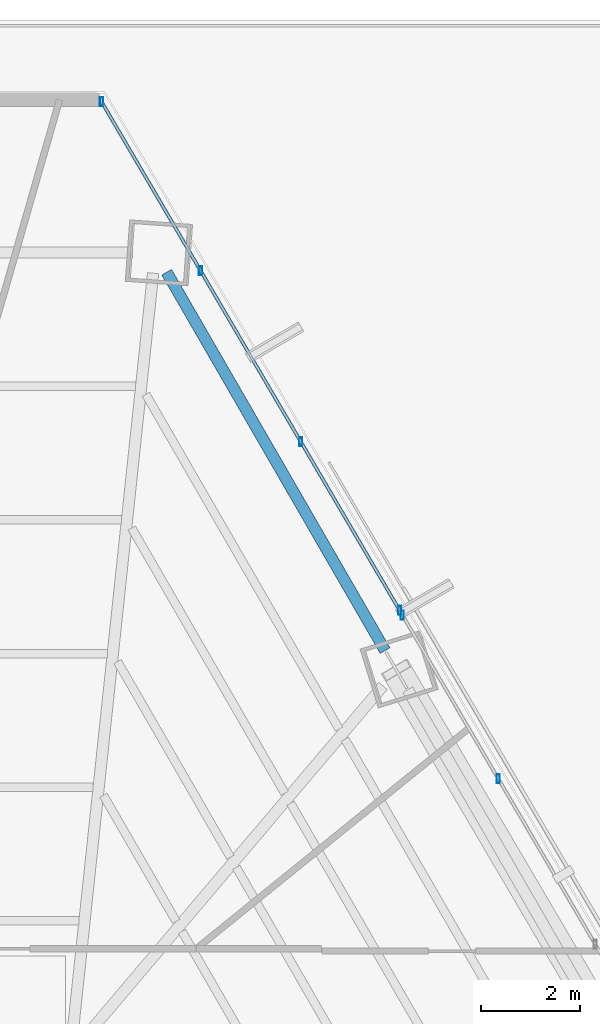
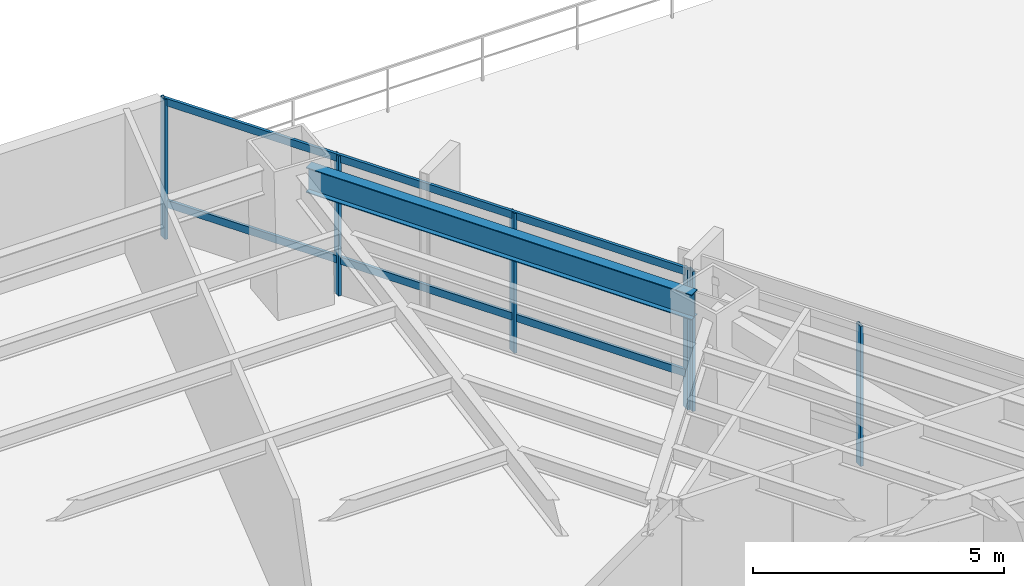
# One storey, part 25 of 35: 8 members, 1 beam, 2 elements without a shape of their own.
"""IFC4 building model written with IfcOpenShell, lengths in metres."""

from ifc_helpers import new_model, si_unit, direction, frame, origin, origin_2d, place, context, subcontext, project, spatial, hollow_rectangle, i_section, extrude, source, transform, mapped, material, material_profile, profile_set, type_object, type_shapes, element, aggregate, save


model = new_model("IFC4")

# Units and contexts
model_context = context("Model", 3, precision=1e-05, world=origin(), true_north=direction((0.0, 1.0)))
body_context = subcontext(model_context, "Body", "Model", "MODEL_VIEW")
ifc_project = project(units=[si_unit("LENGTHUNIT", "METRE"), si_unit("AREAUNIT", "SQUARE_METRE"), si_unit("VOLUMEUNIT", "CUBIC_METRE"), si_unit("PLANEANGLEUNIT", "RADIAN"), si_unit("MASSUNIT", "GRAM", prefix="KILO")], contexts=[model_context])

# Site, building, storey
site_placement = place(None, origin())
site = spatial("IfcSite", under=ifc_project, at=site_placement, CompositionType="ELEMENT")
building_placement = place(site_placement, origin())
building = spatial("IfcBuilding", under=site, at=building_placement, Name="Caelisora Broadcast Tower", CompositionType="ELEMENT")
storey_placement = place(building_placement, frame((0.0, 0.0, 27.60009765625)))
storey = spatial("IfcBuildingStorey", under=building, at=storey_placement, Name="L06", CompositionType="ELEMENT", Elevation=27.60009765625)

# Beam
ifc_material_1 = material(Name="Steel Grade 350 (AS/NZS 3679.1)", Category="steel")
ifc_material_profile_1 = material_profile(ifc_material_1, i_section(OverallWidth=0.22900390625, OverallDepth=0.611572265625, WebThickness=0.011962890625, FlangeThickness=0.01953125, at=origin_2d()), Name="Steel Grade 350 (AS/NZS 3679.1)")
ifc_profile_set_1 = profile_set([ifc_material_profile_1], Name="Steel Grade 350 (AS/NZS 3679.1)")
beam_type = type_object("IfcBeamType", Name="PG03", PredefinedType="BEAM", material=ifc_profile_set_1)
shared_shape_1 = source(origin(), body_context, "Body", "SweptSolid", [
    extrude(i_section(OverallWidth=0.22900390625, OverallDepth=0.611572265625, WebThickness=0.011962890625, FlangeThickness=0.01953125, at=origin_2d()), origin(), (0.0, 0.0, 1.0), 8.867431640625),
])
type_shapes(beam_type, [shared_shape_1])
beam_placement = place(storey_placement, frame((51.88818359375, 38.200439453125, 3.093994140625), z_axis=(-0.500009235922, 0.866020071357, 0.0), x_axis=(-0.866020071357, -0.500009235922, 0.0)))
element("IfcBeam", 1, at=beam_placement, inside=storey, type_object=beam_type, Name="L06 beam PG03", PredefinedType="BEAM", context=body_context, shape_type="MappedRepresentation", body=[
    mapped(shared_shape_1, transform((0.0, 0.0, 0.0), scale=1.0)),
])

# Curtain wall, members
ifc_material_2 = material(Name="Unitised Aluminium and Low-E Glass Curtain Wall", Category="glass")
curtain_wall_type_1 = type_object("IfcCurtainWallType", Name="CW-Z1", PredefinedType="NOTDEFINED", material=ifc_material_2)
curtain_wall_1_placement = place(storey_placement, origin())
curtain_wall_1 = element("IfcCurtainWall", 2, at=curtain_wall_1_placement, inside=storey, type_object=curtain_wall_type_1, Name="L06 curtain wall CW-Z1", PredefinedType="NOTDEFINED")
ifc_material_3 = material(Name="Aluminium 6063-T6 Anodised Terracotta Bronze", Category="aluminium")
ifc_material_profile_2 = material_profile(ifc_material_3, hollow_rectangle(XDim=0.06494140625, YDim=0.179931640625, WallThickness=0.00341796875, at=origin_2d()), Name="Aluminium 6063-T6 Anodised Terracotta Bronze")
ifc_profile_set_2 = profile_set([ifc_material_profile_2], Name="Aluminium 6063-T6 Anodised Terracotta Bronze")
member_type_1 = type_object("IfcMemberType", Name="CWM-02", PredefinedType="MULLION", material=ifc_profile_set_2)
shared_shape_2 = source(origin(), body_context, "Body", "SweptSolid", [
    extrude(hollow_rectangle(XDim=0.06494140625, YDim=0.179931640625, WallThickness=0.00341796875, at=origin_2d()), origin(), (0.0, 0.0, 1.0), 3.39990234375),
])
type_shapes(member_type_1, [shared_shape_2])
member_1_placement = place(storey_placement, frame((46.13330078125, 49.33984375, 0.0), z_axis=(0.0, 0.0, 1.0), x_axis=(1.0, 0.0, 0.0)))
member_1 = element("IfcMember", 3, at=member_1_placement, type_object=member_type_1, Name="L06-CW-B01 mullion #0", PredefinedType="MULLION", context=body_context, shape_type="MappedRepresentation", body=[
    mapped(shared_shape_2, transform((0.0, 0.0, 0.0), scale=1.0)),
])
member_2_placement = place(storey_placement, frame((48.141845703125, 45.91259765625, 0.0), z_axis=(0.0, 0.0, 1.0), x_axis=(1.0, 0.0, 0.0)))
member_2 = element("IfcMember", 4, at=member_2_placement, type_object=member_type_1, Name="L06-CW-B01 mullion #1", PredefinedType="MULLION", context=body_context, shape_type="MappedRepresentation", body=[
    mapped(shared_shape_2, transform((0.0, 0.0, 0.0), scale=1.0)),
])
member_3_placement = place(storey_placement, frame((50.175537109375, 42.442138671875, 0.0), z_axis=(0.0, 0.0, 1.0), x_axis=(1.0, 0.0, 0.0)))
member_3 = element("IfcMember", 5, at=member_3_placement, type_object=member_type_1, Name="L06-CW-B01 mullion #2", PredefinedType="MULLION", context=body_context, shape_type="MappedRepresentation", body=[
    mapped(shared_shape_2, transform((0.0, 0.0, 0.0), scale=1.0)),
])
member_4_placement = place(storey_placement, frame((52.18408203125, 39.014892578125, 0.0), z_axis=(0.0, 0.0, 1.0), x_axis=(1.0, 0.0, 0.0)))
member_4 = element("IfcMember", 6, at=member_4_placement, type_object=member_type_1, Name="L06-CW-B01 mullion #3", PredefinedType="MULLION", context=body_context, shape_type="MappedRepresentation", body=[
    mapped(shared_shape_2, transform((0.0, 0.0, 0.0), scale=1.0)),
])

ifc_material_4 = material(Name="Unitised Aluminium Insulated Shadow-Box Spandrel Curtain Wall", Category="aluminium")
curtain_wall_type_2 = type_object("IfcCurtainWallType", Name="CW-SP1", PredefinedType="NOTDEFINED", material=ifc_material_4)
curtain_wall_2_placement = place(storey_placement, origin())
curtain_wall_2 = element("IfcCurtainWall", 7, at=curtain_wall_2_placement, inside=storey, type_object=curtain_wall_type_2, Name="L06 curtain wall CW-SP1", PredefinedType="NOTDEFINED")
member_5_placement = place(storey_placement, frame((52.239501953125, 38.919921875, 0.0), z_axis=(0.0, 0.0, 1.0), x_axis=(1.0, 0.0, 0.0)))
member_5 = element("IfcMember", 8, at=member_5_placement, type_object=member_type_1, Name="L06-CW-B02 mullion #0", PredefinedType="MULLION", context=body_context, shape_type="MappedRepresentation", body=[
    mapped(shared_shape_2, transform((0.0, 0.0, 0.0), scale=1.0)),
])
member_6_placement = place(storey_placement, frame((54.185302734375, 35.599853515625, 0.0), z_axis=(0.0, 0.0, 1.0), x_axis=(1.0, 0.0, 0.0)))
member_6 = element("IfcMember", 9, at=member_6_placement, type_object=member_type_1, Name="L06-CW-B02 mullion #1", PredefinedType="MULLION", context=body_context, shape_type="MappedRepresentation", body=[
    mapped(shared_shape_2, transform((0.0, 0.0, 0.0), scale=1.0)),
])
aggregate(curtain_wall_2, [member_5, member_6])

# Member
ifc_material_profile_3 = material_profile(ifc_material_3, hollow_rectangle(XDim=0.06494140625, YDim=0.179931640625, WallThickness=0.00341796875, at=origin_2d()), Name="Aluminium 6063-T6 Anodised Terracotta Bronze")
ifc_profile_set_3 = profile_set([ifc_material_profile_3], Name="Aluminium 6063-T6 Anodised Terracotta Bronze")
member_type_2 = type_object("IfcMemberType", Name="CWT-01", PredefinedType="USERDEFINED", material=ifc_profile_set_3)
shared_shape_3 = source(origin(), body_context, "Body", "SweptSolid", [
    extrude(hollow_rectangle(XDim=0.06494140625, YDim=0.179931640625, WallThickness=0.00341796875, at=origin_2d()), origin(), (0.0, 0.0, 1.0), 11.96728515625),
])
type_shapes(member_type_2, [shared_shape_3])
member_7_placement = place(storey_placement, frame((46.13330078125, 49.33984375, 0.849853515625), z_axis=(0.505609025293, -0.862762721461, 0.0), x_axis=(0.862762721461, 0.505609025293, 0.0)))
member_7 = element("IfcMember", 10, at=member_7_placement, type_object=member_type_2, Name="L06-CW-B01 transom #1", ObjectType="TRANSOM", PredefinedType="USERDEFINED", context=body_context, shape_type="MappedRepresentation", body=[
    mapped(shared_shape_3, transform((0.0, 0.0, 0.0), scale=1.0)),
])

member_8_placement = place(storey_placement, frame((46.13330078125, 49.33984375, 3.31982421875), z_axis=(0.505609025293, -0.862762721461, 0.0), x_axis=(0.862762721461, 0.505609025293, 0.0)))
member_8 = element("IfcMember", 11, at=member_8_placement, type_object=member_type_2, Name="L06-CW-B01 transom #2", ObjectType="TRANSOM", PredefinedType="USERDEFINED", context=body_context, shape_type="MappedRepresentation", body=[
    mapped(shared_shape_3, transform((0.0, 0.0, 0.0), scale=1.0)),
])

aggregate(curtain_wall_1, [member_1, member_2, member_3, member_4, member_7, member_8])

save(model, "model.ifc")
